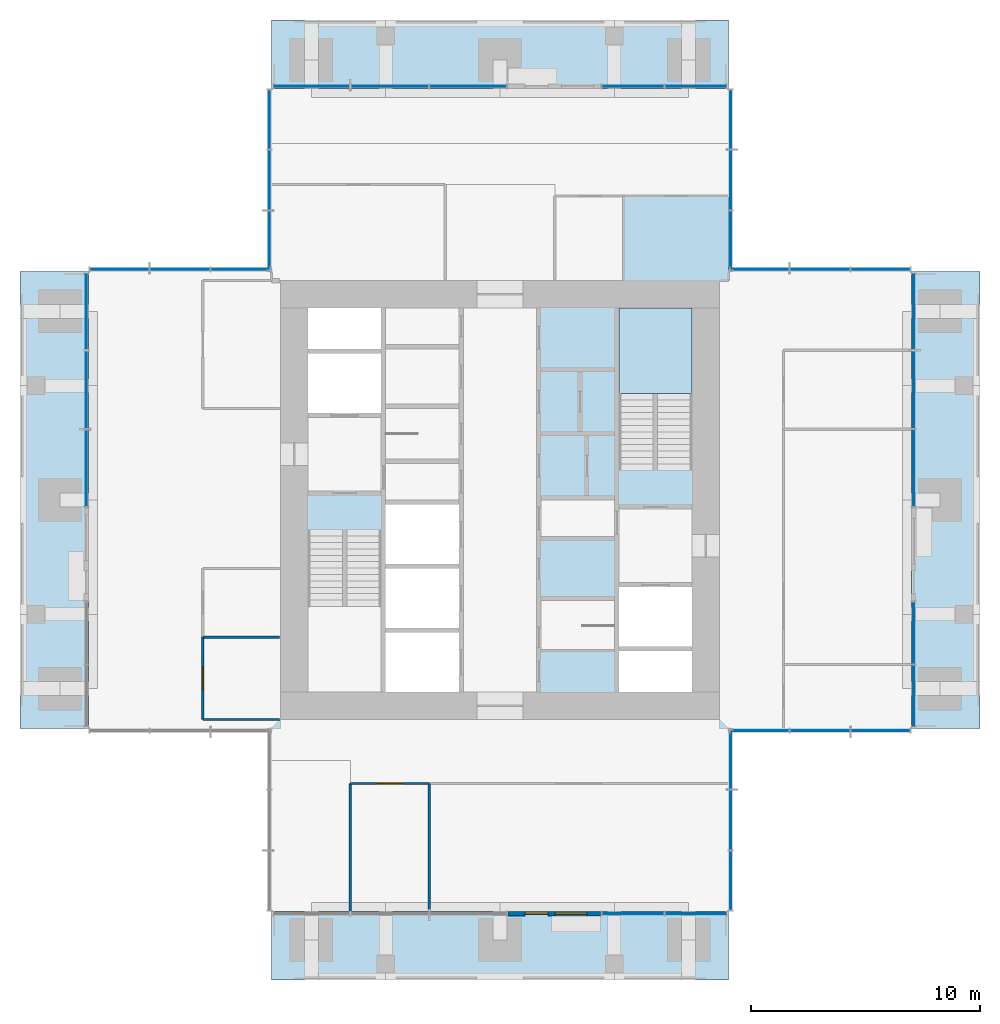
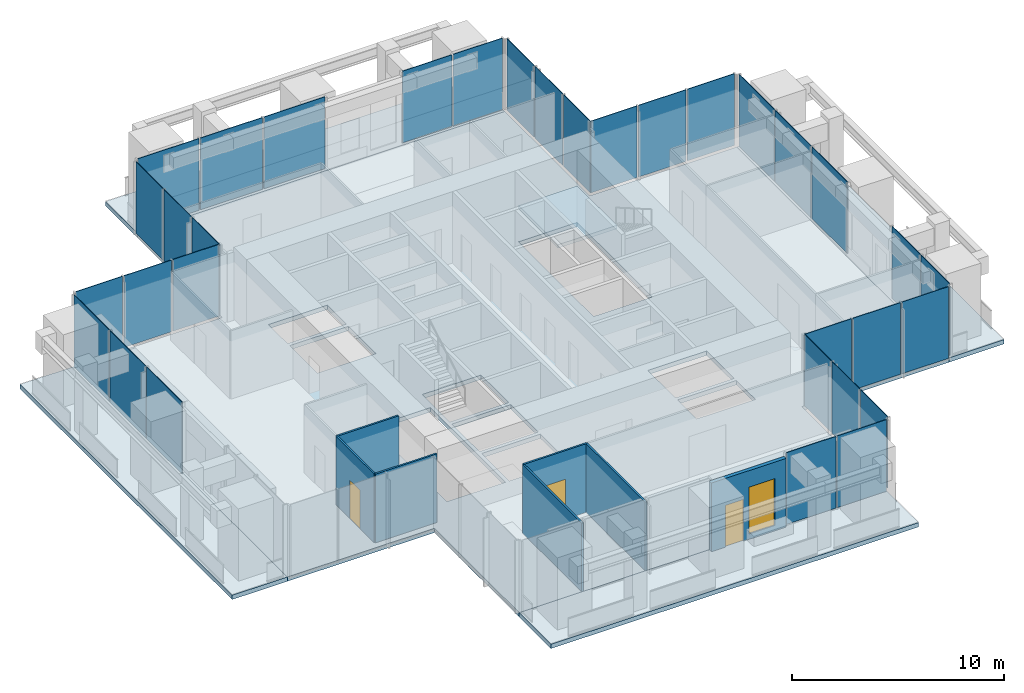
# One storey, part 6 of 12: 33 plates, 7 walls, 6 slabs, 3 doors, 1 window, 4 openings, 13 elements without a shape of their own.
"""IFC4 building model written with IfcOpenShell, lengths in metres."""

from ifc_helpers import new_model, si_unit, direction, frame, frame_2d, origin, origin_2d, place, context, subcontext, project, spatial, polyline, rectangle, outline, extrude, material, layer, layer_set, type_object, element, fill, aggregate, save


model = new_model("IFC4")

# Units and contexts
model_context = context("Model", 3, precision=1e-05, world=origin(), true_north=direction((0.0, 1.0)))
body_context = subcontext(model_context, "Body", "Model", "MODEL_VIEW")
ifc_project = project(units=[si_unit("LENGTHUNIT", "METRE"), si_unit("AREAUNIT", "SQUARE_METRE"), si_unit("VOLUMEUNIT", "CUBIC_METRE"), si_unit("PLANEANGLEUNIT", "RADIAN"), si_unit("MASSUNIT", "GRAM", prefix="KILO")], contexts=[model_context])

# Site, building, storey
site_placement = place(None, origin())
site = spatial("IfcSite", under=ifc_project, at=site_placement, CompositionType="ELEMENT")
building_placement = place(site_placement, origin())
building = spatial("IfcBuilding", under=site, at=building_placement, Name="Svetlomir Tower", CompositionType="ELEMENT")
storey_placement = place(building_placement, frame((0.0, 0.0, 260.800048828125)))
storey = spatial("IfcBuildingStorey", under=building, at=storey_placement, Name="L62", CompositionType="ELEMENT", Elevation=260.800048828125)

# Curtain wall, plates
ifc_material_1 = material(Name="Bronze anodised aluminium curtain wall", Category="aluminium")
curtain_wall_type = type_object("IfcCurtainWallType", Name="CURTAIN WALL CW4 EXECUTIVE", PredefinedType="NOTDEFINED", material=ifc_material_1)
curtain_wall_1_placement = place(storey_placement, origin())
curtain_wall_1 = element("IfcCurtainWall", 1, at=curtain_wall_1_placement, inside=storey, type_object=curtain_wall_type, Name="Curtain wall CW4 L62", PredefinedType="NOTDEFINED")
ifc_material_2 = material(Name="Tinted double glazed unit", Category="glass")
ifc_layer_1 = layer(ifc_material_2, 0.035888671875)
ifc_layer_set_1 = layer_set([ifc_layer_1], Name="Tinted double glazed unit")
plate_type = type_object("IfcPlateType", Name="CW4 GLAZED PANEL 36", PredefinedType="CURTAIN_PANEL", material=ifc_layer_set_1)
plate_1_placement = place(storey_placement, frame((26.81884765625, 2.89990234375, 0.074951171875), z_axis=(0.0, 0.0, 1.0), x_axis=(1.0, 0.0, 0.0)))
plate_1 = element("IfcPlate", 2, at=plate_1_placement, type_object=plate_type, Name="CW4 panel 1.1", PredefinedType="CURTAIN_PANEL", context=body_context, shape_type="SweptSolid", body=[
    extrude(rectangle(XDim=2.6875, YDim=0.035888671875, at=origin_2d()), origin(), (0.0, 0.0, 1.0), 4.125),
])
plate_2_placement = place(storey_placement, frame((29.581298828125, 2.89990234375, 0.074951171875), z_axis=(0.0, 0.0, 1.0), x_axis=(1.0, 0.0, 0.0)))
plate_2 = element("IfcPlate", 3, at=plate_2_placement, type_object=plate_type, Name="CW4 panel 2.1", PredefinedType="CURTAIN_PANEL", context=body_context, shape_type="SweptSolid", body=[
    extrude(rectangle(XDim=2.6875, YDim=0.035888671875, at=origin_2d()), origin(), (0.0, 0.0, 1.0), 4.125),
])
aggregate(curtain_wall_1, [plate_1, plate_2])

curtain_wall_2_placement = place(storey_placement, origin())
curtain_wall_2 = element("IfcCurtainWall", 4, at=curtain_wall_2_placement, inside=storey, type_object=curtain_wall_type, Name="Curtain wall CW4 L62", PredefinedType="NOTDEFINED")
plate_3_placement = place(storey_placement, frame((31.10009765625, 4.35205078125, 0.074951171875), z_axis=(0.0, 0.0, 1.0), x_axis=(0.0, 1.0, 0.0)))
plate_3 = element("IfcPlate", 5, at=plate_3_placement, type_object=plate_type, Name="CW4 panel 1.1", PredefinedType="CURTAIN_PANEL", context=body_context, shape_type="SweptSolid", body=[
    extrude(rectangle(XDim=2.55419921875, YDim=0.035888671875, at=origin_2d()), origin(), (0.0, 0.0, 1.0), 4.125),
])
plate_4_placement = place(storey_placement, frame((31.10009765625, 7.0, 0.074951171875), z_axis=(0.0, 0.0, 1.0), x_axis=(0.0, 1.0, 0.0)))
plate_4 = element("IfcPlate", 6, at=plate_4_placement, type_object=plate_type, Name="CW4 panel 2.1", PredefinedType="CURTAIN_PANEL", context=body_context, shape_type="SweptSolid", body=[
    extrude(rectangle(XDim=2.591552734375, YDim=0.035888671875, at=origin_2d()), origin(), (0.0, 0.0, 1.0), 4.125),
])
plate_5_placement = place(storey_placement, frame((31.10009765625, 9.64794921875, 0.074951171875), z_axis=(0.0, 0.0, 1.0), x_axis=(0.0, 1.0, 0.0)))
plate_5 = element("IfcPlate", 7, at=plate_5_placement, type_object=plate_type, Name="CW4 panel 3.1", PredefinedType="CURTAIN_PANEL", context=body_context, shape_type="SweptSolid", body=[
    extrude(rectangle(XDim=2.55419921875, YDim=0.035888671875, at=origin_2d()), origin(), (0.0, 0.0, 1.0), 4.125),
])
aggregate(curtain_wall_2, [plate_3, plate_4, plate_5])

curtain_wall_3_placement = place(storey_placement, origin())
curtain_wall_3 = element("IfcCurtainWall", 8, at=curtain_wall_3_placement, inside=storey, type_object=curtain_wall_type, Name="Curtain wall CW4 L62", PredefinedType="NOTDEFINED")
plate_6_placement = place(storey_placement, frame((32.35205078125, 10.89990234375, 0.074951171875), z_axis=(0.0, 0.0, 1.0), x_axis=(1.0, 0.0, 0.0)))
plate_6 = element("IfcPlate", 9, at=plate_6_placement, type_object=plate_type, Name="CW4 panel 1.1", PredefinedType="CURTAIN_PANEL", context=body_context, shape_type="SweptSolid", body=[
    extrude(rectangle(XDim=2.55419921875, YDim=0.035888671875, at=origin_2d()), origin(), (0.0, 0.0, 1.0), 4.125),
])
plate_7_placement = place(storey_placement, frame((35.0, 10.89990234375, 0.074951171875), z_axis=(0.0, 0.0, 1.0), x_axis=(1.0, 0.0, 0.0)))
plate_7 = element("IfcPlate", 10, at=plate_7_placement, type_object=plate_type, Name="CW4 panel 2.1", PredefinedType="CURTAIN_PANEL", context=body_context, shape_type="SweptSolid", body=[
    extrude(rectangle(XDim=2.591552734375, YDim=0.035888671875, at=origin_2d()), origin(), (0.0, 0.0, 1.0), 4.125),
])
plate_8_placement = place(storey_placement, frame((37.64794921875, 10.89990234375, 0.074951171875), z_axis=(0.0, 0.0, 1.0), x_axis=(1.0, 0.0, 0.0)))
plate_8 = element("IfcPlate", 11, at=plate_8_placement, type_object=plate_type, Name="CW4 panel 3.1", PredefinedType="CURTAIN_PANEL", context=body_context, shape_type="SweptSolid", body=[
    extrude(rectangle(XDim=2.55419921875, YDim=0.035888671875, at=origin_2d()), origin(), (0.0, 0.0, 1.0), 4.125),
])
aggregate(curtain_wall_3, [plate_6, plate_7, plate_8])

curtain_wall_4_placement = place(storey_placement, origin())
curtain_wall_4 = element("IfcCurtainWall", 12, at=curtain_wall_4_placement, inside=storey, type_object=curtain_wall_type, Name="Curtain wall CW4 L62", PredefinedType="NOTDEFINED")
plate_9_placement = place(storey_placement, frame((39.10009765625, 12.418701171875, 0.074951171875), z_axis=(0.0, 0.0, 1.0), x_axis=(0.0, 1.0, 0.0)))
plate_9 = element("IfcPlate", 13, at=plate_9_placement, type_object=plate_type, Name="CW4 panel 1.1", PredefinedType="CURTAIN_PANEL", context=body_context, shape_type="SweptSolid", body=[
    extrude(rectangle(XDim=2.6875, YDim=0.035888671875, at=origin_2d()), origin(), (0.0, 0.0, 1.0), 4.125),
])
plate_10_placement = place(storey_placement, frame((39.10009765625, 15.18115234375, 0.074951171875), z_axis=(0.0, 0.0, 1.0), x_axis=(0.0, 1.0, 0.0)))
plate_10 = element("IfcPlate", 14, at=plate_10_placement, type_object=plate_type, Name="CW4 panel 2.1", PredefinedType="CURTAIN_PANEL", context=body_context, shape_type="SweptSolid", body=[
    extrude(rectangle(XDim=2.6875, YDim=0.035888671875, at=origin_2d()), origin(), (0.0, 0.0, 1.0), 4.125),
])
aggregate(curtain_wall_4, [plate_9, plate_10])

curtain_wall_5_placement = place(storey_placement, origin())
curtain_wall_5 = element("IfcCurtainWall", 15, at=curtain_wall_5_placement, inside=storey, type_object=curtain_wall_type, Name="Curtain wall CW4 L62", PredefinedType="NOTDEFINED")
plate_11_placement = place(storey_placement, frame((39.10009765625, 22.393798828125, 0.074951171875), z_axis=(0.0, 0.0, 1.0), x_axis=(0.0, 1.0, 0.0)))
plate_11 = element("IfcPlate", 16, at=plate_11_placement, type_object=plate_type, Name="CW4 panel 1.1", PredefinedType="CURTAIN_PANEL", context=body_context, shape_type="SweptSolid", body=[
    extrude(rectangle(XDim=3.33740234375, YDim=0.035888671875, at=origin_2d()), origin(), (0.0, 0.0, 1.0), 4.125),
])
plate_12_placement = place(storey_placement, frame((39.10009765625, 25.824951171875, 0.074951171875), z_axis=(0.0, 0.0, 1.0), x_axis=(0.0, 1.0, 0.0)))
plate_12 = element("IfcPlate", 17, at=plate_12_placement, type_object=plate_type, Name="CW4 panel 2.1", PredefinedType="CURTAIN_PANEL", context=body_context, shape_type="SweptSolid", body=[
    extrude(rectangle(XDim=3.375, YDim=0.035888671875, at=origin_2d()), origin(), (0.0, 0.0, 1.0), 4.125),
])
plate_13_placement = place(storey_placement, frame((39.10009765625, 29.25634765625, 0.074951171875), z_axis=(0.0, 0.0, 1.0), x_axis=(0.0, 1.0, 0.0)))
plate_13 = element("IfcPlate", 18, at=plate_13_placement, type_object=plate_type, Name="CW4 panel 3.1", PredefinedType="CURTAIN_PANEL", context=body_context, shape_type="SweptSolid", body=[
    extrude(rectangle(XDim=3.33740234375, YDim=0.035888671875, at=origin_2d()), origin(), (0.0, 0.0, 1.0), 4.125),
])
aggregate(curtain_wall_5, [plate_11, plate_12, plate_13])

curtain_wall_6_placement = place(storey_placement, origin())
curtain_wall_6 = element("IfcCurtainWall", 19, at=curtain_wall_6_placement, inside=storey, type_object=curtain_wall_type, Name="Curtain wall CW4 L62", PredefinedType="NOTDEFINED")
plate_14_placement = place(storey_placement, frame((37.64794921875, 31.10009765625, 0.074951171875), z_axis=(0.0, 0.0, 1.0), x_axis=(-1.0, 0.0, 0.0)))
plate_14 = element("IfcPlate", 20, at=plate_14_placement, type_object=plate_type, Name="CW4 panel 1.1", PredefinedType="CURTAIN_PANEL", context=body_context, shape_type="SweptSolid", body=[
    extrude(rectangle(XDim=2.55419921875, YDim=0.035888671875, at=origin_2d()), origin(), (0.0, 0.0, 1.0), 4.125),
])
plate_15_placement = place(storey_placement, frame((35.0, 31.10009765625, 0.074951171875), z_axis=(0.0, 0.0, 1.0), x_axis=(-1.0, 0.0, 0.0)))
plate_15 = element("IfcPlate", 21, at=plate_15_placement, type_object=plate_type, Name="CW4 panel 2.1", PredefinedType="CURTAIN_PANEL", context=body_context, shape_type="SweptSolid", body=[
    extrude(rectangle(XDim=2.591552734375, YDim=0.035888671875, at=origin_2d()), origin(), (0.0, 0.0, 1.0), 4.125),
])
plate_16_placement = place(storey_placement, frame((32.35205078125, 31.10009765625, 0.074951171875), z_axis=(0.0, 0.0, 1.0), x_axis=(-1.0, 0.0, 0.0)))
plate_16 = element("IfcPlate", 22, at=plate_16_placement, type_object=plate_type, Name="CW4 panel 3.1", PredefinedType="CURTAIN_PANEL", context=body_context, shape_type="SweptSolid", body=[
    extrude(rectangle(XDim=2.55419921875, YDim=0.035888671875, at=origin_2d()), origin(), (0.0, 0.0, 1.0), 4.125),
])
aggregate(curtain_wall_6, [plate_14, plate_15, plate_16])

curtain_wall_7_placement = place(storey_placement, origin())
curtain_wall_7 = element("IfcCurtainWall", 23, at=curtain_wall_7_placement, inside=storey, type_object=curtain_wall_type, Name="Curtain wall CW4 L62", PredefinedType="NOTDEFINED")
plate_17_placement = place(storey_placement, frame((31.10009765625, 32.35205078125, 0.074951171875), z_axis=(0.0, 0.0, 1.0), x_axis=(0.0, 1.0, 0.0)))
plate_17 = element("IfcPlate", 24, at=plate_17_placement, type_object=plate_type, Name="CW4 panel 1.1", PredefinedType="CURTAIN_PANEL", context=body_context, shape_type="SweptSolid", body=[
    extrude(rectangle(XDim=2.55419921875, YDim=0.035888671875, at=origin_2d()), origin(), (0.0, 0.0, 1.0), 4.125),
])
plate_18_placement = place(storey_placement, frame((31.10009765625, 35.0, 0.074951171875), z_axis=(0.0, 0.0, 1.0), x_axis=(0.0, 1.0, 0.0)))
plate_18 = element("IfcPlate", 25, at=plate_18_placement, type_object=plate_type, Name="CW4 panel 2.1", PredefinedType="CURTAIN_PANEL", context=body_context, shape_type="SweptSolid", body=[
    extrude(rectangle(XDim=2.591552734375, YDim=0.035888671875, at=origin_2d()), origin(), (0.0, 0.0, 1.0), 4.125),
])
plate_19_placement = place(storey_placement, frame((31.10009765625, 37.64794921875, 0.074951171875), z_axis=(0.0, 0.0, 1.0), x_axis=(0.0, 1.0, 0.0)))
plate_19 = element("IfcPlate", 26, at=plate_19_placement, type_object=plate_type, Name="CW4 panel 3.1", PredefinedType="CURTAIN_PANEL", context=body_context, shape_type="SweptSolid", body=[
    extrude(rectangle(XDim=2.55419921875, YDim=0.035888671875, at=origin_2d()), origin(), (0.0, 0.0, 1.0), 4.125),
])
aggregate(curtain_wall_7, [plate_17, plate_18, plate_19])

curtain_wall_8_placement = place(storey_placement, origin())
curtain_wall_8 = element("IfcCurtainWall", 27, at=curtain_wall_8_placement, inside=storey, type_object=curtain_wall_type, Name="Curtain wall CW4 L62", PredefinedType="NOTDEFINED")
plate_20_placement = place(storey_placement, frame((29.581298828125, 39.10009765625, 0.074951171875), z_axis=(0.0, 0.0, 1.0), x_axis=(-1.0, 0.0, 0.0)))
plate_20 = element("IfcPlate", 28, at=plate_20_placement, type_object=plate_type, Name="CW4 panel 1.1", PredefinedType="CURTAIN_PANEL", context=body_context, shape_type="SweptSolid", body=[
    extrude(rectangle(XDim=2.6875, YDim=0.035888671875, at=origin_2d()), origin(), (0.0, 0.0, 1.0), 4.125),
])
plate_21_placement = place(storey_placement, frame((26.81884765625, 39.10009765625, 0.074951171875), z_axis=(0.0, 0.0, 1.0), x_axis=(-1.0, 0.0, 0.0)))
plate_21 = element("IfcPlate", 29, at=plate_21_placement, type_object=plate_type, Name="CW4 panel 2.1", PredefinedType="CURTAIN_PANEL", context=body_context, shape_type="SweptSolid", body=[
    extrude(rectangle(XDim=2.6875, YDim=0.035888671875, at=origin_2d()), origin(), (0.0, 0.0, 1.0), 4.125),
])
aggregate(curtain_wall_8, [plate_20, plate_21])

curtain_wall_9_placement = place(storey_placement, origin())
curtain_wall_9 = element("IfcCurtainWall", 30, at=curtain_wall_9_placement, inside=storey, type_object=curtain_wall_type, Name="Curtain wall CW4 L62", PredefinedType="NOTDEFINED")
plate_22_placement = place(storey_placement, frame((19.606201171875, 39.10009765625, 0.074951171875), z_axis=(0.0, 0.0, 1.0), x_axis=(-1.0, 0.0, 0.0)))
plate_22 = element("IfcPlate", 31, at=plate_22_placement, type_object=plate_type, Name="CW4 panel 1.1", PredefinedType="CURTAIN_PANEL", context=body_context, shape_type="SweptSolid", body=[
    extrude(rectangle(XDim=3.33740234375, YDim=0.035888671875, at=origin_2d()), origin(), (0.0, 0.0, 1.0), 4.125),
])
plate_23_placement = place(storey_placement, frame((16.175048828125, 39.10009765625, 0.074951171875), z_axis=(0.0, 0.0, 1.0), x_axis=(-1.0, 0.0, 0.0)))
plate_23 = element("IfcPlate", 32, at=plate_23_placement, type_object=plate_type, Name="CW4 panel 2.1", PredefinedType="CURTAIN_PANEL", context=body_context, shape_type="SweptSolid", body=[
    extrude(rectangle(XDim=3.375, YDim=0.035888671875, at=origin_2d()), origin(), (0.0, 0.0, 1.0), 4.125),
])
plate_24_placement = place(storey_placement, frame((12.74365234375, 39.10009765625, 0.074951171875), z_axis=(0.0, 0.0, 1.0), x_axis=(-1.0, 0.0, 0.0)))
plate_24 = element("IfcPlate", 33, at=plate_24_placement, type_object=plate_type, Name="CW4 panel 3.1", PredefinedType="CURTAIN_PANEL", context=body_context, shape_type="SweptSolid", body=[
    extrude(rectangle(XDim=3.33740234375, YDim=0.035888671875, at=origin_2d()), origin(), (0.0, 0.0, 1.0), 4.125),
])
aggregate(curtain_wall_9, [plate_22, plate_23, plate_24])

curtain_wall_10_placement = place(storey_placement, origin())
curtain_wall_10 = element("IfcCurtainWall", 34, at=curtain_wall_10_placement, inside=storey, type_object=curtain_wall_type, Name="Curtain wall CW4 L62", PredefinedType="NOTDEFINED")
plate_25_placement = place(storey_placement, frame((10.89990234375, 37.64794921875, 0.074951171875), z_axis=(0.0, 0.0, 1.0), x_axis=(0.0, -1.0, 0.0)))
plate_25 = element("IfcPlate", 35, at=plate_25_placement, type_object=plate_type, Name="CW4 panel 1.1", PredefinedType="CURTAIN_PANEL", context=body_context, shape_type="SweptSolid", body=[
    extrude(rectangle(XDim=2.55419921875, YDim=0.035888671875, at=origin_2d()), origin(), (0.0, 0.0, 1.0), 4.125),
])
plate_26_placement = place(storey_placement, frame((10.89990234375, 35.0, 0.074951171875), z_axis=(0.0, 0.0, 1.0), x_axis=(0.0, -1.0, 0.0)))
plate_26 = element("IfcPlate", 36, at=plate_26_placement, type_object=plate_type, Name="CW4 panel 2.1", PredefinedType="CURTAIN_PANEL", context=body_context, shape_type="SweptSolid", body=[
    extrude(rectangle(XDim=2.591552734375, YDim=0.035888671875, at=origin_2d()), origin(), (0.0, 0.0, 1.0), 4.125),
])
plate_27_placement = place(storey_placement, frame((10.89990234375, 32.35205078125, 0.074951171875), z_axis=(0.0, 0.0, 1.0), x_axis=(0.0, -1.0, 0.0)))
plate_27 = element("IfcPlate", 37, at=plate_27_placement, type_object=plate_type, Name="CW4 panel 3.1", PredefinedType="CURTAIN_PANEL", context=body_context, shape_type="SweptSolid", body=[
    extrude(rectangle(XDim=2.55419921875, YDim=0.035888671875, at=origin_2d()), origin(), (0.0, 0.0, 1.0), 4.125),
])
aggregate(curtain_wall_10, [plate_25, plate_26, plate_27])

curtain_wall_11_placement = place(storey_placement, origin())
curtain_wall_11 = element("IfcCurtainWall", 38, at=curtain_wall_11_placement, inside=storey, type_object=curtain_wall_type, Name="Curtain wall CW4 L62", PredefinedType="NOTDEFINED")
plate_28_placement = place(storey_placement, frame((9.64794921875, 31.10009765625, 0.074951171875), z_axis=(0.0, 0.0, 1.0), x_axis=(-1.0, 0.0, 0.0)))
plate_28 = element("IfcPlate", 39, at=plate_28_placement, type_object=plate_type, Name="CW4 panel 1.1", PredefinedType="CURTAIN_PANEL", context=body_context, shape_type="SweptSolid", body=[
    extrude(rectangle(XDim=2.55419921875, YDim=0.035888671875, at=origin_2d()), origin(), (0.0, 0.0, 1.0), 4.125),
])
plate_29_placement = place(storey_placement, frame((7.0, 31.10009765625, 0.074951171875), z_axis=(0.0, 0.0, 1.0), x_axis=(-1.0, 0.0, 0.0)))
plate_29 = element("IfcPlate", 40, at=plate_29_placement, type_object=plate_type, Name="CW4 panel 2.1", PredefinedType="CURTAIN_PANEL", context=body_context, shape_type="SweptSolid", body=[
    extrude(rectangle(XDim=2.591552734375, YDim=0.035888671875, at=origin_2d()), origin(), (0.0, 0.0, 1.0), 4.125),
])
plate_30_placement = place(storey_placement, frame((4.35205078125, 31.10009765625, 0.074951171875), z_axis=(0.0, 0.0, 1.0), x_axis=(-1.0, 0.0, 0.0)))
plate_30 = element("IfcPlate", 41, at=plate_30_placement, type_object=plate_type, Name="CW4 panel 3.1", PredefinedType="CURTAIN_PANEL", context=body_context, shape_type="SweptSolid", body=[
    extrude(rectangle(XDim=2.55419921875, YDim=0.035888671875, at=origin_2d()), origin(), (0.0, 0.0, 1.0), 4.125),
])
aggregate(curtain_wall_11, [plate_28, plate_29, plate_30])

curtain_wall_12_placement = place(storey_placement, origin())
curtain_wall_12 = element("IfcCurtainWall", 42, at=curtain_wall_12_placement, inside=storey, type_object=curtain_wall_type, Name="Curtain wall CW4 L62", PredefinedType="NOTDEFINED")
plate_31_placement = place(storey_placement, frame((2.89990234375, 29.25634765625, 0.074951171875), z_axis=(0.0, 0.0, 1.0), x_axis=(0.0, -1.0, 0.0)))
plate_31 = element("IfcPlate", 43, at=plate_31_placement, type_object=plate_type, Name="CW4 panel 1.1", PredefinedType="CURTAIN_PANEL", context=body_context, shape_type="SweptSolid", body=[
    extrude(rectangle(XDim=3.33740234375, YDim=0.035888671875, at=origin_2d()), origin(), (0.0, 0.0, 1.0), 4.125),
])
plate_32_placement = place(storey_placement, frame((2.89990234375, 25.824951171875, 0.074951171875), z_axis=(0.0, 0.0, 1.0), x_axis=(0.0, -1.0, 0.0)))
plate_32 = element("IfcPlate", 44, at=plate_32_placement, type_object=plate_type, Name="CW4 panel 2.1", PredefinedType="CURTAIN_PANEL", context=body_context, shape_type="SweptSolid", body=[
    extrude(rectangle(XDim=3.375, YDim=0.035888671875, at=origin_2d()), origin(), (0.0, 0.0, 1.0), 4.125),
])
plate_33_placement = place(storey_placement, frame((2.89990234375, 22.393798828125, 0.074951171875), z_axis=(0.0, 0.0, 1.0), x_axis=(0.0, -1.0, 0.0)))
plate_33 = element("IfcPlate", 45, at=plate_33_placement, type_object=plate_type, Name="CW4 panel 3.1", PredefinedType="CURTAIN_PANEL", context=body_context, shape_type="SweptSolid", body=[
    extrude(rectangle(XDim=3.33740234375, YDim=0.035888671875, at=origin_2d()), origin(), (0.0, 0.0, 1.0), 4.125),
])
aggregate(curtain_wall_12, [plate_31, plate_32, plate_33])

# Slabs
ifc_material_3 = material(Name="Concrete C60/75", Category="concrete")
ifc_layer_2 = layer(ifc_material_3, 0.25)
ifc_layer_set_2 = layer_set([ifc_layer_2], Name="Concrete C60/75")
slab_type_1 = type_object("IfcSlabType", Name="FLOOR SLAB 250", PredefinedType="FLOOR", material=ifc_layer_set_2)
slab_1_placement = place(storey_placement, frame((0.0, 0.0, -0.25)))
element("IfcSlab", 46, at=slab_1_placement, inside=storey, type_object=slab_type_1, Name="L62 floor slab", PredefinedType="FLOOR", context=body_context, shape_type="SweptSolid", body=[
    extrude(outline(polyline([(11.0, 3.0), (31.0, 3.0), (31.0, 11.0), (39.0, 11.0), (39.0, 31.0), (31.0, 31.0), (31.0, 39.0), (11.0, 39.0), (11.0, 31.0), (3.0, 31.0), (3.0, 11.0), (11.0, 11.0), (11.0, 3.0)]), holes=[polyline([(12.60009765625, 24.800048828125), (15.800048828125, 24.800048828125), (15.800048828125, 27.39990234375), (12.60009765625, 27.39990234375), (12.60009765625, 24.800048828125)]), polyline([(26.199951171875, 14.60009765625), (29.39990234375, 14.60009765625), (29.39990234375, 17.199951171875), (26.199951171875, 17.199951171875), (26.199951171875, 14.60009765625)]), polyline([(16.0, 12.60009765625), (19.199951171875, 12.60009765625), (19.199951171875, 15.199951171875), (16.0, 15.199951171875), (16.0, 12.60009765625)]), polyline([(16.0, 15.39990234375), (19.199951171875, 15.39990234375), (19.199951171875, 18.0), (16.0, 18.0), (16.0, 15.39990234375)]), polyline([(16.0, 18.199951171875), (19.199951171875, 18.199951171875), (19.199951171875, 20.800048828125), (16.0, 20.800048828125), (16.0, 18.199951171875)]), polyline([(12.60009765625, 27.60009765625), (15.800048828125, 27.60009765625), (15.800048828125, 29.39990234375), (12.60009765625, 29.39990234375), (12.60009765625, 27.60009765625)]), polyline([(26.199951171875, 12.60009765625), (29.39990234375, 12.60009765625), (29.39990234375, 14.39990234375), (26.199951171875, 14.39990234375), (26.199951171875, 12.60009765625)]), polyline([(12.60009765625, 12.60009765625), (15.800048828125, 12.60009765625), (15.800048828125, 19.679931640625), (12.60009765625, 19.679931640625), (12.60009765625, 12.60009765625)]), polyline([(26.199951171875, 22.320068359375), (29.39990234375, 22.320068359375), (29.39990234375, 29.39990234375), (26.199951171875, 29.39990234375), (26.199951171875, 22.320068359375)])]), origin(), (0.0, 0.0, 1.0), 0.25),
])
ifc_material_4 = material(Name="Concrete C60/75", Category="concrete")
ifc_layer_3 = layer(ifc_material_4, 0.25)
ifc_layer_set_3 = layer_set([ifc_layer_3], Name="Concrete C60/75")
slab_type_2 = type_object("IfcSlabType", Name="PLANTED LOGGIA SLAB 250", PredefinedType="FLOOR", material=ifc_layer_set_3)
slab_2_placement = place(storey_placement, frame((0.0, 0.0, -0.25)))
element("IfcSlab", 47, at=slab_2_placement, inside=storey, type_object=slab_type_2, Name="L62 S planted loggia", PredefinedType="FLOOR", context=body_context, shape_type="SweptSolid", body=[
    extrude(outline(polyline([(11.0, 0.0), (31.0, 0.0), (31.0, 3.0), (11.0, 3.0), (11.0, 0.0)])), origin(), (0.0, 0.0, 1.0), 0.25),
])
slab_3_placement = place(storey_placement, frame((0.0, 0.0, -0.25)))
element("IfcSlab", 48, at=slab_3_placement, inside=storey, type_object=slab_type_2, Name="L62 E planted loggia", PredefinedType="FLOOR", context=body_context, shape_type="SweptSolid", body=[
    extrude(outline(polyline([(39.0, 11.0), (42.0, 11.0), (42.0, 31.0), (39.0, 31.0), (39.0, 11.0)])), origin(), (0.0, 0.0, 1.0), 0.25),
])
slab_4_placement = place(storey_placement, frame((0.0, 0.0, -0.25)))
element("IfcSlab", 49, at=slab_4_placement, inside=storey, type_object=slab_type_2, Name="L62 N planted loggia", PredefinedType="FLOOR", context=body_context, shape_type="SweptSolid", body=[
    extrude(outline(polyline([(11.0, 39.0), (31.0, 39.0), (31.0, 42.0), (11.0, 42.0), (11.0, 39.0)])), origin(), (0.0, 0.0, 1.0), 0.25),
])
slab_5_placement = place(storey_placement, frame((0.0, 0.0, -0.25)))
element("IfcSlab", 50, at=slab_5_placement, inside=storey, type_object=slab_type_2, Name="L62 W planted loggia", PredefinedType="FLOOR", context=body_context, shape_type="SweptSolid", body=[
    extrude(outline(polyline([(0.0, 11.0), (3.0, 11.0), (3.0, 31.0), (0.0, 31.0), (0.0, 11.0)])), origin(), (0.0, 0.0, 1.0), 0.25),
])

# Stair, slab
ifc_material_5 = material(Name="Concrete C60/75", Category="concrete")
stair_type = type_object("IfcStairType", Name="EXIT STAIR 3200 RISE 4200", PredefinedType="HALF_TURN_STAIR", material=ifc_material_5)
stair_placement = place(storey_placement, origin())
stair = element("IfcStair", 51, at=stair_placement, inside=storey, type_object=stair_type, Name="Stair S2 L62 to L63", PredefinedType="HALF_TURN_STAIR")
ifc_material_6 = material(Name="Concrete C60/75", Category="concrete")
ifc_layer_4 = layer(ifc_material_6, 0.199951171875)
ifc_layer_set_4 = layer_set([ifc_layer_4], Name="Concrete C60/75")
slab_type_3 = type_object("IfcSlabType", Name="STAIR LANDING 200", PredefinedType="LANDING", material=ifc_layer_set_4)
slab_6_placement = place(storey_placement, frame((0.0, 0.0, 1.89990234375)))
slab_6 = element("IfcSlab", 52, at=slab_6_placement, type_object=slab_type_3, Name="S2 landing 1", PredefinedType="LANDING", context=body_context, shape_type="SweptSolid", body=[
    extrude(outline(polyline([(26.199951171875, 25.659912109375), (29.39990234375, 25.659912109375), (29.39990234375, 29.39990234375), (26.199951171875, 29.39990234375), (26.199951171875, 25.659912109375)])), origin(), (0.0, 0.0, 1.0), 0.199951171875),
])
aggregate(stair, [slab_6])

# Wall, openings, door, window
ifc_material_7 = material(Name="Bronze anodised aluminium glazed screen", Category="aluminium")
ifc_layer_5 = layer(ifc_material_7, 0.199951171875)
ifc_layer_set_5 = layer_set([ifc_layer_5], Name="Bronze anodised aluminium glazed screen")
wall_type_1 = type_object("IfcWallType", Name="BALCONY SCREEN WALL 200", PredefinedType="USERDEFINED", material=ifc_layer_set_5)
wall_1_placement = place(storey_placement, frame((21.35009765625, 2.89990234375, 0.0), z_axis=(0.0, 0.0, 1.0), x_axis=(1.0, 0.0, 0.0)))
wall_1 = element("IfcWall", 53, at=wall_1_placement, inside=storey, type_object=wall_type_1, Name="Balcony screen S", ObjectType="GLAZED SCREEN", PredefinedType="USERDEFINED", context=body_context, shape_type="SweptSolid", body=[
    extrude(rectangle(XDim=4.0498046875, YDim=0.199951171875, at=frame_2d((2.02490234375, 0.0))), origin(), (0.0, 0.0, 1.0), 3.949951171875),
])
opening_1_placement = place(wall_1_placement, frame((0.75, 0.0, 0.0)))
opening_1 = element("IfcOpeningElement", 54, at=opening_1_placement, cuts=wall_1, Name="Opening BD", PredefinedType="OPENING", context=body_context, shape_type="SweptSolid", body=[
    extrude(rectangle(XDim=1.0, YDim=2.39990234375, at=frame_2d((0.5, 1.199951171875))), frame((0.0, 0.10986328125, 0.0), z_axis=(0.0, -1.0, 0.0), x_axis=(1.0, 0.0, 0.0)), (0.0, 0.0, 1.0), 0.219970703125),
])
opening_2_placement = place(wall_1_placement, frame((2.050048828125, 0.0, 0.300048828125)))
opening_2 = element("IfcOpeningElement", 55, at=opening_2_placement, cuts=wall_1, Name="Opening WS2", PredefinedType="OPENING", context=body_context, shape_type="SweptSolid", body=[
    extrude(rectangle(XDim=1.39990234375, YDim=2.699951171875, at=frame_2d((0.699951171875, 1.35009765625))), frame((0.0, 0.10986328125, 0.0), z_axis=(0.0, -1.0, 0.0), x_axis=(1.0, 0.0, 0.0)), (0.0, 0.0, 1.0), 0.219970703125),
])
ifc_material_8 = material(Name="Bronze anodised aluminium glazed door", Category="aluminium")
door_type_1 = type_object("IfcDoorType", Name="BALCONY DOOR BD 1000x2400", OperationType="SINGLE_SWING_LEFT", PredefinedType="DOOR", material=ifc_material_8)
door_1_placement = place(opening_1_placement, origin())
door_1 = element("IfcDoor", 56, at=door_1_placement, inside=storey, type_object=door_type_1, Name="Balcony screen S door", OperationType="SINGLE_SWING_LEFT", OverallHeight=2.39990234375, OverallWidth=1.0, PredefinedType="DOOR", context=body_context, shape_type="SweptSolid", body=[
    extrude(rectangle(XDim=1.0, YDim=2.39990234375, at=frame_2d((0.5, 1.199951171875))), frame((0.0, 0.02490234375, 0.0), z_axis=(0.0, -1.0, 0.0), x_axis=(1.0, 0.0, 0.0)), (0.0, 0.0, 1.0), 0.050048828125),
])
fill(opening_1, door_1)
ifc_material_9 = material(Name="Bronze anodised aluminium window", Category="aluminium")
window_type = type_object("IfcWindowType", Name="SCREEN WINDOW WS2 1400x2700", PartitioningType="SINGLE_PANEL", PredefinedType="WINDOW", material=ifc_material_9)
window_placement = place(opening_2_placement, origin())
window = element("IfcWindow", 57, at=window_placement, inside=storey, type_object=window_type, Name="Balcony screen S window 1", OverallHeight=2.699951171875, OverallWidth=1.39990234375, PartitioningType="SINGLE_PANEL", PredefinedType="WINDOW", context=body_context, shape_type="SweptSolid", body=[
    extrude(rectangle(XDim=1.39990234375, YDim=2.699951171875, at=frame_2d((0.699951171875, 1.35009765625))), frame((0.0, 0.030029296875, 0.0), z_axis=(0.0, -1.0, 0.0), x_axis=(1.0, 0.0, 0.0)), (0.0, 0.0, 1.0), 0.06005859375),
])
fill(opening_2, window)

# Wall, opening, door
ifc_material_10 = material(Name="Framed laminated glass partition", Category="glass")
ifc_layer_6 = layer(ifc_material_10, 0.10009765625)
ifc_layer_set_6 = layer_set([ifc_layer_6], Name="Framed laminated glass partition")
wall_type_2 = type_object("IfcWallType", Name="GLAZED PARTITION 100", PredefinedType="PARTITIONING", material=ifc_layer_set_6)
wall_2_placement = place(storey_placement, frame((8.0, 11.39990234375, 0.0), z_axis=(0.0, 0.0, 1.0), x_axis=(0.0, 1.0, 0.0)))
wall_2 = element("IfcWall", 58, at=wall_2_placement, inside=storey, type_object=wall_type_2, Name="Glazed partition L62", PredefinedType="PARTITIONING", context=body_context, shape_type="SweptSolid", body=[
    extrude(rectangle(XDim=3.60009765625, YDim=0.10009765625, at=frame_2d((1.800048828125, 0.0))), origin(), (0.0, 0.0, 1.0), 3.949951171875),
])
opening_3_placement = place(wall_2_placement, frame((1.300048828125, 0.0, 0.0)))
opening_3 = element("IfcOpeningElement", 59, at=opening_3_placement, cuts=wall_2, Name="Opening DR", PredefinedType="OPENING", context=body_context, shape_type="SweptSolid", body=[
    extrude(rectangle(XDim=1.0, YDim=2.199951171875, at=frame_2d((0.5, 1.10009765625))), frame((0.0, 0.06005859375, 0.0), z_axis=(0.0, -1.0, 0.0), x_axis=(1.0, 0.0, 0.0)), (0.0, 0.0, 1.0), 0.1201171875),
])
ifc_material_11 = material(Name="Timber door, glazed side light", Category="wood")
door_type_2 = type_object("IfcDoorType", Name="DOOR DR 1000x2200", OperationType="SINGLE_SWING_LEFT", PredefinedType="DOOR", material=ifc_material_11)
door_2_placement = place(opening_3_placement, origin())
door_2 = element("IfcDoor", 60, at=door_2_placement, inside=storey, type_object=door_type_2, Name="Directors' retiring room door L62", OperationType="SINGLE_SWING_RIGHT", OverallHeight=2.199951171875, OverallWidth=1.0, PredefinedType="DOOR", context=body_context, shape_type="SweptSolid", body=[
    extrude(rectangle(XDim=1.0, YDim=2.199951171875, at=frame_2d((0.5, 1.10009765625))), frame((0.0, 0.02490234375, 0.0), z_axis=(0.0, -1.0, 0.0), x_axis=(1.0, 0.0, 0.0)), (0.0, 0.0, 1.0), 0.050048828125),
])
fill(opening_3, door_2)

# Walls
for number, where, z_axis, x_axis, name in (
    (61, (8.0, 11.39990234375, 0.0), (0.0, 0.0, 1.0), (1.0, 0.0, 0.0), "Glazed partition L62"),
    (62, (8.0, 15.0, 0.0), (0.0, 0.0, 1.0), (1.0, 0.0, 0.0), "Partition L62"),
):
    element("IfcWall", number, at=place(storey_placement, frame(where, z_axis=z_axis, x_axis=x_axis)), inside=storey, type_object=wall_type_2, Name=name, PredefinedType="PARTITIONING", context=body_context, shape_type="SweptSolid", body=[
        extrude(rectangle(XDim=3.35009765625, YDim=0.10009765625, at=frame_2d((1.675048828125, 0.0))), origin(), (0.0, 0.0, 1.0), 3.949951171875),
    ])
wall_3_placement = place(storey_placement, frame((14.449951171875, 3.0, 0.0), z_axis=(0.0, 0.0, 1.0), x_axis=(0.0, 1.0, 0.0)))
element("IfcWall", 63, at=wall_3_placement, inside=storey, type_object=wall_type_2, Name="Partition L62", PredefinedType="PARTITIONING", context=body_context, shape_type="SweptSolid", body=[
    extrude(rectangle(XDim=5.60009765625, YDim=0.10009765625, at=frame_2d((2.800048828125, 0.0))), origin(), (0.0, 0.0, 1.0), 3.949951171875),
])

# Wall, opening, door
wall_4_placement = place(storey_placement, frame((14.449951171875, 8.60009765625, 0.0), z_axis=(0.0, 0.0, 1.0), x_axis=(1.0, 0.0, 0.0)))
wall_4 = element("IfcWall", 64, at=wall_4_placement, inside=storey, type_object=wall_type_2, Name="Partition L62", PredefinedType="PARTITIONING", context=body_context, shape_type="SweptSolid", body=[
    extrude(rectangle(XDim=3.449951171875, YDim=0.10009765625, at=frame_2d((1.72509765625, 0.0))), origin(), (0.0, 0.0, 1.0), 3.949951171875),
])
opening_4_placement = place(wall_4_placement, frame((1.175048828125, 0.0, 0.0)))
opening_4 = element("IfcOpeningElement", 65, at=opening_4_placement, cuts=wall_4, Name="Opening DE", PredefinedType="OPENING", context=body_context, shape_type="SweptSolid", body=[
    extrude(rectangle(XDim=1.10009765625, YDim=2.300048828125, at=frame_2d((0.550048828125, 1.14990234375))), frame((0.0, 0.06005859375, 0.0), z_axis=(0.0, -1.0, 0.0), x_axis=(1.0, 0.0, 0.0)), (0.0, 0.0, 1.0), 0.1201171875),
])
ifc_material_12 = material(Name="Walnut veneered timber door", Category="wood")
door_type_3 = type_object("IfcDoorType", Name="DOOR DE 1100x2300", OperationType="SINGLE_SWING_LEFT", PredefinedType="DOOR", material=ifc_material_12)
door_3_placement = place(opening_4_placement, origin())
door_3 = element("IfcDoor", 66, at=door_3_placement, inside=storey, type_object=door_type_3, Name="Executive office - Chairman door L62", OperationType="SINGLE_SWING_RIGHT", OverallHeight=2.300048828125, OverallWidth=1.10009765625, PredefinedType="DOOR", context=body_context, shape_type="SweptSolid", body=[
    extrude(rectangle(XDim=1.10009765625, YDim=2.300048828125, at=frame_2d((0.550048828125, 1.14990234375))), frame((0.0, 0.02490234375, 0.0), z_axis=(0.0, -1.0, 0.0), x_axis=(1.0, 0.0, 0.0)), (0.0, 0.0, 1.0), 0.050048828125),
])
fill(opening_4, door_3)

# Wall
wall_5_placement = place(storey_placement, frame((17.89990234375, 3.0, 0.0), z_axis=(0.0, 0.0, 1.0), x_axis=(0.0, 1.0, 0.0)))
element("IfcWall", 67, at=wall_5_placement, inside=storey, type_object=wall_type_2, Name="Partition L62", PredefinedType="PARTITIONING", context=body_context, shape_type="SweptSolid", body=[
    extrude(rectangle(XDim=5.60009765625, YDim=0.10009765625, at=frame_2d((2.800048828125, 0.0))), origin(), (0.0, 0.0, 1.0), 3.949951171875),
])

save(model, "model.ifc")
